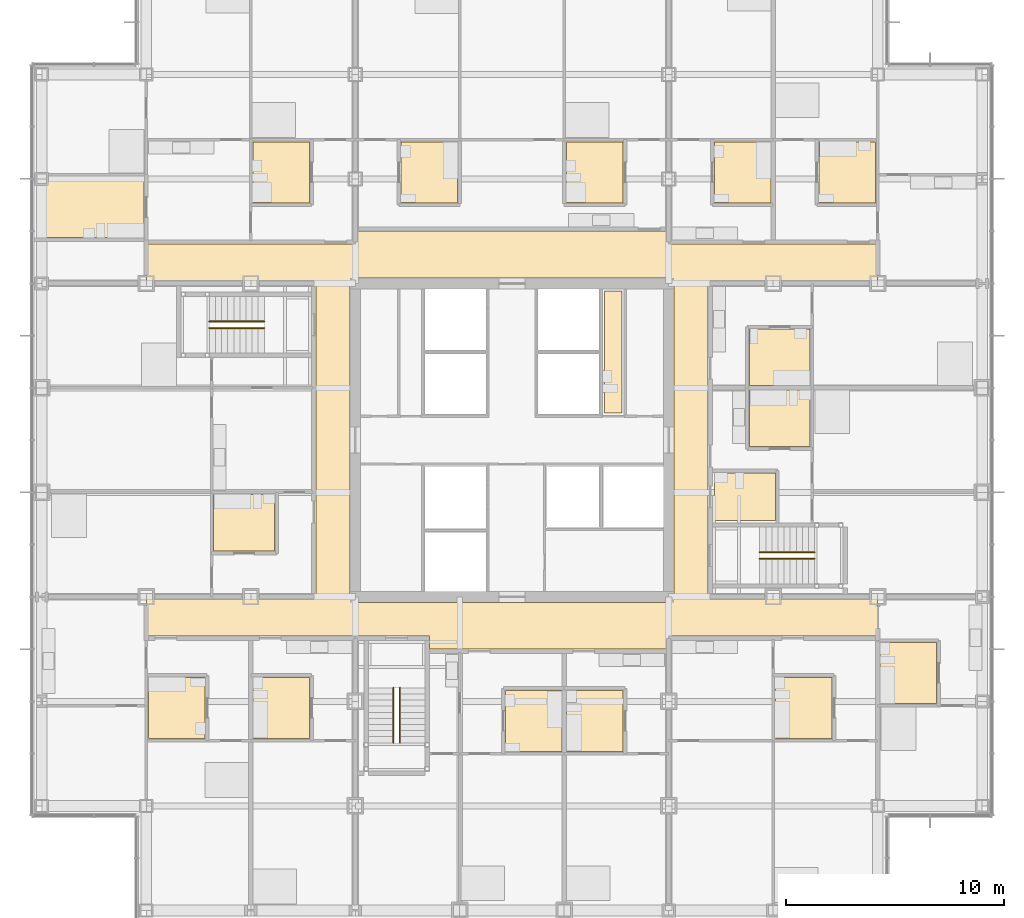
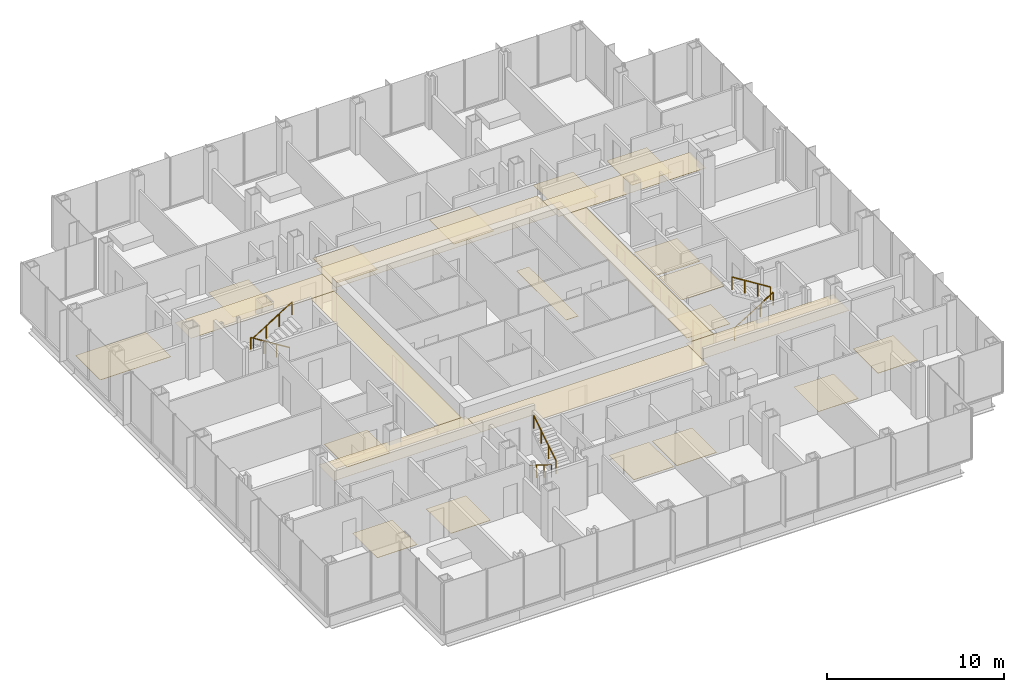
# One storey, part 19 of 21: 25 coverings, 6 railings.
"""IFC4 building model written with IfcOpenShell, lengths in metres."""

import ifcopenshell
import ifcopenshell.guid

model = None  # the IFC model being written
_history = None  # IfcOwnerHistory: only IFC2X3 demands one
_inside = {}  # id of a spatial element -> (the spatial element, [elements in it])
_under = {}  # id of a project, library or spatial element -> (it, [spatial elements below it])
_declared = {}  # id of a project -> (the project, [libraries it declares])
_typed = {}  # id of a type object -> (the type object, [elements of that type])
_made_of = {}  # id of a material, layer set ... -> (it, [elements and type objects made of it])


def new_model(schema):
    """Start an empty IFC model of exactly this schema.

    Asked for "IFC4X3", IfcOpenShell would pick the latest addendum, in which some entities
    have other attributes; the version numbers below select the first issue.
    IFC2X3 requires an IfcOwnerHistory on every rooted entity: one is made here for all.
    """
    global model, _history
    if schema == "IFC4X3":
        model = ifcopenshell.file(schema_version=(4, 3, 0, 0))
    else:
        model = ifcopenshell.file(schema=schema)
    _inside.clear()
    _under.clear()
    _declared.clear()
    _typed.clear()
    _made_of.clear()
    _history = None
    if model.schema == "IFC2X3":
        org = make("IfcOrganization", Name="unknown")
        user = make(
            "IfcPersonAndOrganization",
            ThePerson=make("IfcPerson", FamilyName="unknown"),
            TheOrganization=org,
        )
        app = make(
            "IfcApplication",
            ApplicationDeveloper=org,
            Version="unknown",
            ApplicationFullName="unknown",
            ApplicationIdentifier="unknown",
        )
        _history = make(
            "IfcOwnerHistory",
            OwningUser=user,
            OwningApplication=app,
            ChangeAction="ADDED",
            CreationDate=0,
        )
    return model


def make(cls, **values):
    """One entity of the class cls with the attributes given. An attribute that is None is left unset."""
    return model.create_entity(
        cls, **{name: value for name, value in values.items() if value is not None}
    )


def rooted(cls, **values):
    """An entity with a GlobalId (a new one), such as an element, a storey or a relation."""
    return make(cls, GlobalId=ifcopenshell.guid.new(), OwnerHistory=_history, **values)


def si_unit(unit_type, name, prefix=None):
    """IfcSIUnit, for example si_unit("LENGTHUNIT", "METRE", prefix="MILLI")."""
    return make("IfcSIUnit", UnitType=unit_type, Prefix=prefix, Name=name)


def assignment(units):
    """IfcUnitAssignment: the units of a project."""
    return None if units is None else make("IfcUnitAssignment", Units=units)


def point(xyz):
    """IfcCartesianPoint."""
    return None if xyz is None else make("IfcCartesianPoint", Coordinates=xyz)


def direction(xyz):
    """IfcDirection."""
    return None if xyz is None else make("IfcDirection", DirectionRatios=xyz)


def frame(location, z_axis=None, x_axis=None):
    """IfcAxis2Placement3D, a coordinate frame: its origin and axes. An axis left out is left unset."""
    return make(
        "IfcAxis2Placement3D",
        Location=point(location),
        Axis=direction(z_axis),
        RefDirection=direction(x_axis),
    )


def frame_2d(location, x_axis=None):
    """IfcAxis2Placement2D, a coordinate frame in the plane: its origin and x axis."""
    return make(
        "IfcAxis2Placement2D", Location=point(location), RefDirection=direction(x_axis)
    )


def origin():
    """The frame at (0, 0, 0) with its axes left unset."""
    return frame((0.0, 0.0, 0.0))


def origin_2d():
    """The frame at (0, 0) in the plane with its x axis left unset."""
    return frame_2d((0.0, 0.0))


def place(relative_to, where):
    """IfcLocalPlacement: puts the frame where relative to a parent placement (None: the world)."""
    return make(
        "IfcLocalPlacement", PlacementRelTo=relative_to, RelativePlacement=where
    )


def context(
    kind, dimensions, precision=None, world=None, true_north=None, identifier=None
):
    """IfcGeometricRepresentationContext, for example the 3D "Model" context."""
    return make(
        "IfcGeometricRepresentationContext",
        ContextIdentifier=identifier,
        ContextType=kind,
        CoordinateSpaceDimension=dimensions,
        Precision=precision,
        WorldCoordinateSystem=world,
        TrueNorth=true_north,
    )


def subcontext(parent, identifier, kind, view, scale=None):
    """IfcGeometricRepresentationSubContext, for example "Body" below "Model"."""
    return make(
        "IfcGeometricRepresentationSubContext",
        ContextIdentifier=identifier,
        ContextType=kind,
        ParentContext=parent,
        TargetScale=scale,
        TargetView=view,
    )


def project(units=None, contexts=None):
    """IfcProject with its units and contexts."""
    return rooted(
        "IfcProject",
        Name="project",
        RepresentationContexts=contexts,
        UnitsInContext=assignment(units),
    )


def spatial(cls, under=None, at=None, **own):
    """A site, building, storey or space (cls), placed at a placement, below another one or the project."""
    s = rooted(cls, ObjectPlacement=at, **own)
    if under is not None:
        _under.setdefault(under.id(), (under, []))[1].append(s)
    return s


def polyline(points):
    """IfcPolyline through the points."""
    return make("IfcPolyline", Points=[point(p) for p in points])


def profile(cls, at=None, kind="AREA", **sizes):
    """A parametric profile (cls). Its sizes go by their IFC names, for example OverallWidth=200.0."""
    return make(cls, ProfileType=kind, Position=at, **sizes)


def circle(**sizes):
    """IfcCircleProfileDef."""
    return profile("IfcCircleProfileDef", **sizes)


def outline(outer, holes=None, kind="AREA"):
    """IfcArbitraryClosedProfileDef: a profile drawn as a closed curve; with holes, ...WithVoids."""
    if holes is None:
        return make("IfcArbitraryClosedProfileDef", ProfileType=kind, OuterCurve=outer)
    return make(
        "IfcArbitraryProfileDefWithVoids",
        ProfileType=kind,
        OuterCurve=outer,
        InnerCurves=holes,
    )


def extrude(swept, where, along, depth):
    """IfcExtrudedAreaSolid: the profile swept, set in the frame where, extruded along a direction by depth."""
    return make(
        "IfcExtrudedAreaSolid",
        SweptArea=swept,
        Position=where,
        ExtrudedDirection=direction(along),
        Depth=depth,
    )


def shape(context_of_items, identifier, shape_type, items):
    """IfcShapeRepresentation: the items that make up one representation, for example the "Body"."""
    return make(
        "IfcShapeRepresentation",
        ContextOfItems=context_of_items,
        RepresentationIdentifier=identifier,
        RepresentationType=shape_type,
        Items=items,
    )


def material(Name=None, Category=None):
    """IfcMaterial."""
    return make("IfcMaterial", Name=Name, Category=Category)


def layer(
    of_material, thickness, ventilated=None, Name=None, Category=None, Priority=None
):
    """IfcMaterialLayer: one layer of a wall or slab, of a material (None: an air gap)."""
    return make(
        "IfcMaterialLayer",
        Material=of_material,
        LayerThickness=thickness,
        IsVentilated=ventilated,
        Name=Name,
        Category=Category,
        Priority=Priority,
    )


def layer_set(layers, Name=None):
    """IfcMaterialLayerSet."""
    return make("IfcMaterialLayerSet", MaterialLayers=layers, LayerSetName=Name)


def made_of(thing, what):
    """Note that an element or type object is made of a material, layer set ...; save() writes the relation."""
    if what is not None:
        _made_of.setdefault(what.id(), (what, []))[1].append(thing)
    return thing


def type_object(cls, material=None, **own):
    """A type object (cls), such as IfcWallType, which elements share."""
    return made_of(rooted(cls, **own), material)


def element(
    cls,
    number,
    at=None,
    inside=None,
    cuts=None,
    type_object=None,
    material=None,
    context=None,
    identifier="Body",
    shape_type=None,
    held_by="IfcProductDefinitionShape",
    body=None,
    shapes=None,
    **own,
):
    """One element of the class cls, such as IfcWall. Its Tag is "e" and its number.

    at: its placement. inside: the storey or other place that contains it. cuts: it is an
    opening in that element (IfcRelVoidsElement). A single representation is given by context,
    identifier, shape_type and body (its items); several are given by shapes. held_by: the class
    of the entity that holds the representations. save() writes the other relations.
    """
    e = rooted(cls, Tag="e%d" % number, ObjectPlacement=at, **own)
    if body is not None:
        shapes = [shape(context, identifier, shape_type, body)]
    if shapes is not None:
        e.Representation = make(held_by, Representations=shapes)
    if inside is not None:
        _inside.setdefault(inside.id(), (inside, []))[1].append(e)
    if cuts is not None:
        rooted(
            "IfcRelVoidsElement", RelatingBuildingElement=cuts, RelatedOpeningElement=e
        )
    if type_object is not None:
        _typed.setdefault(type_object.id(), (type_object, []))[1].append(e)
    return made_of(e, material)


def aggregate(whole, parts):
    """IfcRelAggregates: a whole, such as a stair, and the parts it consists of."""
    return rooted("IfcRelAggregates", RelatingObject=whole, RelatedObjects=parts)


def save(model, path):
    """Write the relations noted so far, then the file.

    IfcRelAggregates (storeys below a building ...), IfcRelContainedInSpatialStructure (elements
    in a storey), IfcRelDefinesByType, IfcRelAssociatesMaterial and IfcRelDeclares: one each for
    every whole, place, type object, material and project.
    """
    for whole, parts in _under.values():
        aggregate(whole, parts)
    for where, things in _inside.values():
        rooted(
            "IfcRelContainedInSpatialStructure",
            RelatedElements=things,
            RelatingStructure=where,
        )
    for kind, things in _typed.values():
        rooted("IfcRelDefinesByType", RelatedObjects=things, RelatingType=kind)
    for what, things in _made_of.values():
        rooted("IfcRelAssociatesMaterial", RelatedObjects=things, RelatingMaterial=what)
    for by, libraries in _declared.values():
        rooted("IfcRelDeclares", RelatingContext=by, RelatedDefinitions=libraries)
    model.write(path)


model = new_model("IFC4")

# Units and contexts
model_context = context("Model", 3, precision=1e-05, world=origin(), true_north=direction((0.0, 1.0)))
body_context = subcontext(model_context, "Body", "Model", "MODEL_VIEW")
ifc_project = project(units=[si_unit("LENGTHUNIT", "METRE"), si_unit("AREAUNIT", "SQUARE_METRE"), si_unit("VOLUMEUNIT", "CUBIC_METRE"), si_unit("PLANEANGLEUNIT", "RADIAN"), si_unit("MASSUNIT", "GRAM", prefix="KILO")], contexts=[model_context])

# Site, building, storey
site_placement = place(None, origin())
site = spatial("IfcSite", under=ifc_project, at=site_placement, CompositionType="ELEMENT")
building_placement = place(site_placement, origin())
building = spatial("IfcBuilding", under=site, at=building_placement, Name="Kvirike Care Tower", CompositionType="ELEMENT")
storey_placement = place(building_placement, frame((0.0, 0.0, 41.0)))
storey = spatial("IfcBuildingStorey", under=building, at=storey_placement, Name="L10", CompositionType="ELEMENT", Elevation=41.0)

# Coverings
ifc_material_1 = material(Name="Perforated metal ceiling tile", Category="aluminium")
ifc_layer_1 = layer(ifc_material_1, 0.014892578125)
ifc_layer_set_1 = layer_set([ifc_layer_1], Name="CORRIDOR CEILING 15")
covering_type_1 = type_object("IfcCoveringType", Name="CORRIDOR CEILING 15", PredefinedType="CEILING", material=ifc_layer_set_1)
covering_1_placement = place(storey_placement, frame((0.0, 0.0, 2.5)))
element("IfcCovering", 1, at=covering_1_placement, inside=storey, type_object=covering_type_1, Name="Corridor ceiling L10", PredefinedType="CEILING", context=body_context, shape_type="SweptSolid", body=[
    extrude(outline(polyline([(4.800048828125, 27.0), (4.800048828125, 28.800048828125), (14.39990234375, 28.800048828125), (14.39990234375, 27.0), (4.800048828125, 27.0)])), origin(), (0.0, 0.0, 1.0), 0.014892578125),
])
covering_2_placement = place(storey_placement, frame((0.0, 0.0, 2.5)))
element("IfcCovering", 2, at=covering_2_placement, inside=storey, type_object=covering_type_1, Name="Corridor ceiling L10", PredefinedType="CEILING", context=body_context, shape_type="SweptSolid", body=[
    extrude(outline(polyline([(12.60009765625, 43.199951171875), (14.14990234375, 43.199951171875), (14.14990234375, 28.800048828125), (12.60009765625, 28.800048828125), (12.60009765625, 43.199951171875)])), origin(), (0.0, 0.0, 1.0), 0.014892578125),
])
covering_3_placement = place(storey_placement, frame((0.0, 0.0, 2.5)))
element("IfcCovering", 3, at=covering_3_placement, inside=storey, type_object=covering_type_1, Name="Corridor ceiling L10", PredefinedType="CEILING", context=body_context, shape_type="SweptSolid", body=[
    extrude(outline(polyline([(14.39990234375, 45.0), (14.39990234375, 43.199951171875), (4.800048828125, 43.199951171875), (4.800048828125, 45.0), (14.39990234375, 45.0)])), origin(), (0.0, 0.0, 1.0), 0.014892578125),
])
covering_4_placement = place(storey_placement, frame((0.0, 0.0, 2.5)))
element("IfcCovering", 4, at=covering_4_placement, inside=storey, type_object=covering_type_1, Name="Corridor ceiling L10", PredefinedType="CEILING", context=body_context, shape_type="SweptSolid", body=[
    extrude(outline(polyline([(14.39990234375, 28.550048828125), (28.800048828125, 28.550048828125), (28.800048828125, 26.39990234375), (17.800048828125, 26.39990234375), (17.800048828125, 27.0), (14.39990234375, 27.0), (14.39990234375, 28.550048828125)])), origin(), (0.0, 0.0, 1.0), 0.014892578125),
])
covering_5_placement = place(storey_placement, frame((0.0, 0.0, 2.5)))
element("IfcCovering", 5, at=covering_5_placement, inside=storey, type_object=covering_type_1, Name="Corridor ceiling L10", PredefinedType="CEILING", context=body_context, shape_type="SweptSolid", body=[
    extrude(outline(polyline([(28.800048828125, 45.60009765625), (28.800048828125, 43.449951171875), (14.39990234375, 43.449951171875), (14.39990234375, 45.60009765625), (28.800048828125, 45.60009765625)])), origin(), (0.0, 0.0, 1.0), 0.014892578125),
])
covering_6_placement = place(storey_placement, frame((0.0, 0.0, 2.5)))
element("IfcCovering", 6, at=covering_6_placement, inside=storey, type_object=covering_type_1, Name="Corridor ceiling L10", PredefinedType="CEILING", context=body_context, shape_type="SweptSolid", body=[
    extrude(outline(polyline([(28.800048828125, 27.0), (28.800048828125, 28.800048828125), (38.39990234375, 28.800048828125), (38.39990234375, 27.0), (28.800048828125, 27.0)])), origin(), (0.0, 0.0, 1.0), 0.014892578125),
])
covering_7_placement = place(storey_placement, frame((0.0, 0.0, 2.5)))
element("IfcCovering", 7, at=covering_7_placement, inside=storey, type_object=covering_type_1, Name="Corridor ceiling L10", PredefinedType="CEILING", context=body_context, shape_type="SweptSolid", body=[
    extrude(outline(polyline([(30.60009765625, 28.800048828125), (29.050048828125, 28.800048828125), (29.050048828125, 43.199951171875), (30.60009765625, 43.199951171875), (30.60009765625, 28.800048828125)])), origin(), (0.0, 0.0, 1.0), 0.014892578125),
])
covering_8_placement = place(storey_placement, frame((0.0, 0.0, 2.5)))
element("IfcCovering", 8, at=covering_8_placement, inside=storey, type_object=covering_type_1, Name="Corridor ceiling L10", PredefinedType="CEILING", context=body_context, shape_type="SweptSolid", body=[
    extrude(outline(polyline([(38.39990234375, 45.0), (38.39990234375, 43.199951171875), (28.800048828125, 43.199951171875), (28.800048828125, 45.0), (38.39990234375, 45.0)])), origin(), (0.0, 0.0, 1.0), 0.014892578125),
])

# Railings
ifc_material_2 = material(Name="Stainless steel handrail", Category="steel")
railing_type = type_object("IfcRailingType", Name="STAIR HANDRAIL 900", PredefinedType="HANDRAIL", material=ifc_material_2)
railing_1_placement = place(storey_placement, frame((10.219970703125, 41.449951171875, 0.175048828125)))
element("IfcRailing", 9, at=railing_1_placement, inside=storey, type_object=railing_type, Name="Stair 1 handrail L10 flight 1", PredefinedType="HANDRAIL", context=body_context, shape_type="SweptSolid", body=[
    extrude(circle(Radius=0.02490234375, at=origin_2d()), frame((0.0, 0.0, 0.875), z_axis=(-0.848007534815, 0.0, 0.529984170421), x_axis=(0.0, -1.0, 0.0)), (0.0, 0.0, 1.0), 2.9716796875),
    extrude(circle(Radius=0.02001953125, at=origin_2d()), origin(), (0.0, 0.0, 1.0), 0.849853515625),
    extrude(circle(Radius=0.02001953125, at=origin_2d()), frame((-0.840087890625, 0.0, 0.52490234375)), (0.0, 0.0, 1.0), 0.849853515625),
    extrude(circle(Radius=0.02001953125, at=origin_2d()), frame((-1.679931640625, 0.0, 1.050048828125)), (0.0, 0.0, 1.0), 0.849853515625),
    extrude(circle(Radius=0.02001953125, at=origin_2d()), frame((-2.52001953125, 0.0, 1.574951171875)), (0.0, 0.0, 1.0), 0.849853515625),
])
for number, where, name in (
    (10, (7.699951171875, 41.14990234375, 1.925048828125), "Stair 1 handrail L10 flight 2"),
    (11, (32.97998046875, 30.550048828125, 0.175048828125), "Stair 2 handrail L10 flight 1"),
):
    element("IfcRailing", number, at=place(storey_placement, frame(where)), inside=storey, type_object=railing_type, Name=name, PredefinedType="HANDRAIL", context=body_context, shape_type="SweptSolid", body=[
        extrude(circle(Radius=0.02490234375, at=origin_2d()), frame((0.0, 0.0, 0.875), z_axis=(0.848007534815, 0.0, 0.529984170421), x_axis=(0.0, 1.0, 0.0)), (0.0, 0.0, 1.0), 2.9716796875),
        extrude(circle(Radius=0.02001953125, at=origin_2d()), origin(), (0.0, 0.0, 1.0), 0.849853515625),
        extrude(circle(Radius=0.02001953125, at=origin_2d()), frame((0.840087890625, 0.0, 0.52490234375)), (0.0, 0.0, 1.0), 0.849853515625),
        extrude(circle(Radius=0.02001953125, at=origin_2d()), frame((1.679931640625, 0.0, 1.050048828125)), (0.0, 0.0, 1.0), 0.849853515625),
        extrude(circle(Radius=0.02001953125, at=origin_2d()), frame((2.52001953125, 0.0, 1.574951171875)), (0.0, 0.0, 1.0), 0.849853515625),
    ])
railing_2_placement = place(storey_placement, frame((35.5, 30.85009765625, 1.925048828125)))
element("IfcRailing", 12, at=railing_2_placement, inside=storey, type_object=railing_type, Name="Stair 2 handrail L10 flight 2", PredefinedType="HANDRAIL", context=body_context, shape_type="SweptSolid", body=[
    extrude(circle(Radius=0.02490234375, at=origin_2d()), frame((0.0, 0.0, 0.875), z_axis=(-0.848007534815, 0.0, 0.529984170421), x_axis=(0.0, -1.0, 0.0)), (0.0, 0.0, 1.0), 2.9716796875),
    extrude(circle(Radius=0.02001953125, at=origin_2d()), origin(), (0.0, 0.0, 1.0), 0.849853515625),
    extrude(circle(Radius=0.02001953125, at=origin_2d()), frame((-0.840087890625, 0.0, 0.52490234375)), (0.0, 0.0, 1.0), 0.849853515625),
    extrude(circle(Radius=0.02001953125, at=origin_2d()), frame((-1.679931640625, 0.0, 1.050048828125)), (0.0, 0.0, 1.0), 0.849853515625),
    extrude(circle(Radius=0.02001953125, at=origin_2d()), frame((-2.52001953125, 0.0, 1.574951171875)), (0.0, 0.0, 1.0), 0.849853515625),
])
railing_3_placement = place(storey_placement, frame((16.14990234375, 24.6201171875, 0.175048828125)))
element("IfcRailing", 13, at=railing_3_placement, inside=storey, type_object=railing_type, Name="Stair 5 handrail L10 flight 1", PredefinedType="HANDRAIL", context=body_context, shape_type="SweptSolid", body=[
    extrude(circle(Radius=0.02490234375, at=origin_2d()), frame((0.0, 0.0, 0.875), z_axis=(0.0, -0.848007534815, 0.529984170421), x_axis=(1.0, 0.0, 0.0)), (0.0, 0.0, 1.0), 2.9716796875),
    extrude(circle(Radius=0.02001953125, at=origin_2d()), origin(), (0.0, 0.0, 1.0), 0.849853515625),
    extrude(circle(Radius=0.02001953125, at=origin_2d()), frame((0.0, -0.840087890625, 0.52490234375)), (0.0, 0.0, 1.0), 0.849853515625),
    extrude(circle(Radius=0.02001953125, at=origin_2d()), frame((0.0, -1.679931640625, 1.050048828125)), (0.0, 0.0, 1.0), 0.849853515625),
    extrude(circle(Radius=0.02001953125, at=origin_2d()), frame((0.0, -2.52001953125, 1.574951171875)), (0.0, 0.0, 1.0), 0.849853515625),
])
railing_4_placement = place(storey_placement, frame((16.449951171875, 22.10009765625, 1.925048828125)))
element("IfcRailing", 14, at=railing_4_placement, inside=storey, type_object=railing_type, Name="Stair 5 handrail L10 flight 2", PredefinedType="HANDRAIL", context=body_context, shape_type="SweptSolid", body=[
    extrude(circle(Radius=0.02490234375, at=origin_2d()), frame((0.0, 0.0, 0.875), z_axis=(0.0, 0.848007534815, 0.529984170421), x_axis=(-1.0, 0.0, 0.0)), (0.0, 0.0, 1.0), 2.9716796875),
    extrude(circle(Radius=0.02001953125, at=origin_2d()), origin(), (0.0, 0.0, 1.0), 0.849853515625),
    extrude(circle(Radius=0.02001953125, at=origin_2d()), frame((0.0, 0.840087890625, 0.52490234375)), (0.0, 0.0, 1.0), 0.849853515625),
    extrude(circle(Radius=0.02001953125, at=origin_2d()), frame((0.0, 1.679931640625, 1.050048828125)), (0.0, 0.0, 1.0), 0.849853515625),
    extrude(circle(Radius=0.02001953125, at=origin_2d()), frame((0.0, 2.52001953125, 1.574951171875)), (0.0, 0.0, 1.0), 0.849853515625),
])

# Coverings
ifc_material_3 = material(Name="Slip-resistant vinyl safety flooring on screed")
ifc_layer_2 = layer(ifc_material_3, 0.02001953125)
ifc_layer_set_2 = layer_set([ifc_layer_2], Name="WET ROOM FLOOR 20")
covering_type_2 = type_object("IfcCoveringType", Name="WET ROOM FLOOR 20", PredefinedType="FLOORING", material=ifc_layer_set_2)
covering_9_placement = place(storey_placement, origin())
element("IfcCovering", 15, at=covering_9_placement, inside=storey, type_object=covering_type_2, Name="Bathroom floor L10-004", PredefinedType="FLOORING", context=body_context, shape_type="SweptSolid", body=[
    extrude(outline(polyline([(4.89990234375, 22.300048828125), (4.89990234375, 25.10009765625), (7.5, 25.10009765625), (7.5, 22.300048828125), (4.89990234375, 22.300048828125)])), origin(), (0.0, 0.0, 1.0), 0.02001953125),
])
covering_10_placement = place(storey_placement, origin())
element("IfcCovering", 16, at=covering_10_placement, inside=storey, type_object=covering_type_2, Name="Bathroom floor L10-008", PredefinedType="FLOORING", context=body_context, shape_type="SweptSolid", body=[
    extrude(outline(polyline([(9.699951171875, 22.300048828125), (9.699951171875, 25.10009765625), (12.300048828125, 25.10009765625), (12.300048828125, 22.300048828125), (9.699951171875, 22.300048828125)])), origin(), (0.0, 0.0, 1.0), 0.02001953125),
])
covering_11_placement = place(storey_placement, origin())
element("IfcCovering", 17, at=covering_11_placement, inside=storey, type_object=covering_type_2, Name="Bathroom floor L10-015", PredefinedType="FLOORING", context=body_context, shape_type="SweptSolid", body=[
    extrude(outline(polyline([(7.89990234375, 33.5), (10.699951171875, 33.5), (10.699951171875, 30.89990234375), (7.89990234375, 30.89990234375), (7.89990234375, 33.5)])), origin(), (0.0, 0.0, 1.0), 0.02001953125),
])
covering_12_placement = place(storey_placement, origin())
element("IfcCovering", 18, at=covering_12_placement, inside=storey, type_object=covering_type_2, Name="Shower room floor L10-023", PredefinedType="FLOORING", context=body_context, shape_type="SweptSolid", body=[
    extrude(outline(polyline([(12.300048828125, 49.699951171875), (12.300048828125, 46.89990234375), (9.699951171875, 46.89990234375), (9.699951171875, 49.699951171875), (12.300048828125, 49.699951171875)])), origin(), (0.0, 0.0, 1.0), 0.02001953125),
])
covering_13_placement = place(storey_placement, origin())
element("IfcCovering", 19, at=covering_13_placement, inside=storey, type_object=covering_type_2, Name="Bathroom floor L10-024", PredefinedType="FLOORING", context=body_context, shape_type="SweptSolid", body=[
    extrude(outline(polyline([(4.699951171875, 48.10009765625), (4.699951171875, 45.300048828125), (0.10009765625, 45.300048828125), (0.10009765625, 48.10009765625), (4.699951171875, 48.10009765625)])), origin(), (0.0, 0.0, 1.0), 0.02001953125),
])
covering_14_placement = place(storey_placement, origin())
element("IfcCovering", 20, at=covering_14_placement, inside=storey, type_object=covering_type_2, Name="Bathroom floor L10-031", PredefinedType="FLOORING", context=body_context, shape_type="SweptSolid", body=[
    extrude(outline(polyline([(21.300048828125, 21.699951171875), (21.300048828125, 24.5), (23.89990234375, 24.5), (23.89990234375, 21.699951171875), (21.300048828125, 21.699951171875)])), origin(), (0.0, 0.0, 1.0), 0.02001953125),
])
covering_15_placement = place(storey_placement, origin())
element("IfcCovering", 21, at=covering_15_placement, inside=storey, type_object=covering_type_2, Name="Bathroom floor L10-035", PredefinedType="FLOORING", context=body_context, shape_type="SweptSolid", body=[
    extrude(outline(polyline([(24.10009765625, 21.699951171875), (24.10009765625, 24.5), (26.699951171875, 24.5), (26.699951171875, 21.699951171875), (24.10009765625, 21.699951171875)])), origin(), (0.0, 0.0, 1.0), 0.02001953125),
])
covering_16_placement = place(storey_placement, origin())
element("IfcCovering", 22, at=covering_16_placement, inside=storey, type_object=covering_type_2, Name="Shower room floor L10-041", PredefinedType="FLOORING", context=body_context, shape_type="SweptSolid", body=[
    extrude(outline(polyline([(26.699951171875, 49.699951171875), (26.699951171875, 46.89990234375), (24.10009765625, 46.89990234375), (24.10009765625, 49.699951171875), (26.699951171875, 49.699951171875)])), origin(), (0.0, 0.0, 1.0), 0.02001953125),
])
covering_17_placement = place(storey_placement, origin())
element("IfcCovering", 23, at=covering_17_placement, inside=storey, type_object=covering_type_2, Name="Bathroom floor L10-042", PredefinedType="FLOORING", context=body_context, shape_type="SweptSolid", body=[
    extrude(outline(polyline([(19.10009765625, 49.699951171875), (19.10009765625, 46.89990234375), (16.5, 46.89990234375), (16.5, 49.699951171875), (19.10009765625, 49.699951171875)])), origin(), (0.0, 0.0, 1.0), 0.02001953125),
])
covering_18_placement = place(storey_placement, origin())
element("IfcCovering", 24, at=covering_18_placement, inside=storey, type_object=covering_type_2, Name="Bathroom floor L10-047", PredefinedType="FLOORING", context=body_context, shape_type="SweptSolid", body=[
    extrude(outline(polyline([(33.699951171875, 22.300048828125), (33.699951171875, 25.10009765625), (36.300048828125, 25.10009765625), (36.300048828125, 22.300048828125), (33.699951171875, 22.300048828125)])), origin(), (0.0, 0.0, 1.0), 0.02001953125),
])
covering_19_placement = place(storey_placement, origin())
element("IfcCovering", 25, at=covering_19_placement, inside=storey, type_object=covering_type_2, Name="Bathroom floor L10-051", PredefinedType="FLOORING", context=body_context, shape_type="SweptSolid", body=[
    extrude(outline(polyline([(38.5, 23.89990234375), (38.5, 26.699951171875), (41.10009765625, 26.699951171875), (41.10009765625, 23.89990234375), (38.5, 23.89990234375)])), origin(), (0.0, 0.0, 1.0), 0.02001953125),
])
covering_20_placement = place(storey_placement, origin())
element("IfcCovering", 26, at=covering_20_placement, inside=storey, type_object=covering_type_2, Name="Accessible WC floor L10-057", PredefinedType="FLOORING", context=body_context, shape_type="SweptSolid", body=[
    extrude(outline(polyline([(33.699951171875, 32.300048828125), (30.89990234375, 32.300048828125), (30.89990234375, 34.5), (33.699951171875, 34.5), (33.699951171875, 32.300048828125)])), origin(), (0.0, 0.0, 1.0), 0.02001953125),
])
covering_21_placement = place(storey_placement, origin())
element("IfcCovering", 27, at=covering_21_placement, inside=storey, type_object=covering_type_2, Name="Bathroom floor L10-058", PredefinedType="FLOORING", context=body_context, shape_type="SweptSolid", body=[
    extrude(outline(polyline([(35.300048828125, 35.699951171875), (32.5, 35.699951171875), (32.5, 38.300048828125), (35.300048828125, 38.300048828125), (35.300048828125, 35.699951171875)])), origin(), (0.0, 0.0, 1.0), 0.02001953125),
])
covering_22_placement = place(storey_placement, origin())
element("IfcCovering", 28, at=covering_22_placement, inside=storey, type_object=covering_type_2, Name="Bathroom floor L10-061", PredefinedType="FLOORING", context=body_context, shape_type="SweptSolid", body=[
    extrude(outline(polyline([(35.300048828125, 38.5), (32.5, 38.5), (32.5, 41.10009765625), (35.300048828125, 41.10009765625), (35.300048828125, 38.5)])), origin(), (0.0, 0.0, 1.0), 0.02001953125),
])
covering_23_placement = place(storey_placement, origin())
element("IfcCovering", 29, at=covering_23_placement, inside=storey, type_object=covering_type_2, Name="Bathroom floor L10-066", PredefinedType="FLOORING", context=body_context, shape_type="SweptSolid", body=[
    extrude(outline(polyline([(38.300048828125, 49.699951171875), (38.300048828125, 46.89990234375), (35.699951171875, 46.89990234375), (35.699951171875, 49.699951171875), (38.300048828125, 49.699951171875)])), origin(), (0.0, 0.0, 1.0), 0.02001953125),
])
covering_24_placement = place(storey_placement, origin())
element("IfcCovering", 30, at=covering_24_placement, inside=storey, type_object=covering_type_2, Name="Bathroom floor L10-070", PredefinedType="FLOORING", context=body_context, shape_type="SweptSolid", body=[
    extrude(outline(polyline([(33.5, 49.699951171875), (33.5, 46.89990234375), (30.89990234375, 46.89990234375), (30.89990234375, 49.699951171875), (33.5, 49.699951171875)])), origin(), (0.0, 0.0, 1.0), 0.02001953125),
])
covering_25_placement = place(storey_placement, origin())
element("IfcCovering", 31, at=covering_25_placement, inside=storey, type_object=covering_type_2, Name="Staff WC floor L10-079", PredefinedType="FLOORING", context=body_context, shape_type="SweptSolid", body=[
    extrude(outline(polyline([(26.64990234375, 37.25), (25.85009765625, 37.25), (25.85009765625, 42.85009765625), (26.64990234375, 42.85009765625), (26.64990234375, 37.25)])), origin(), (0.0, 0.0, 1.0), 0.02001953125),
])

save(model, "model.ifc")
